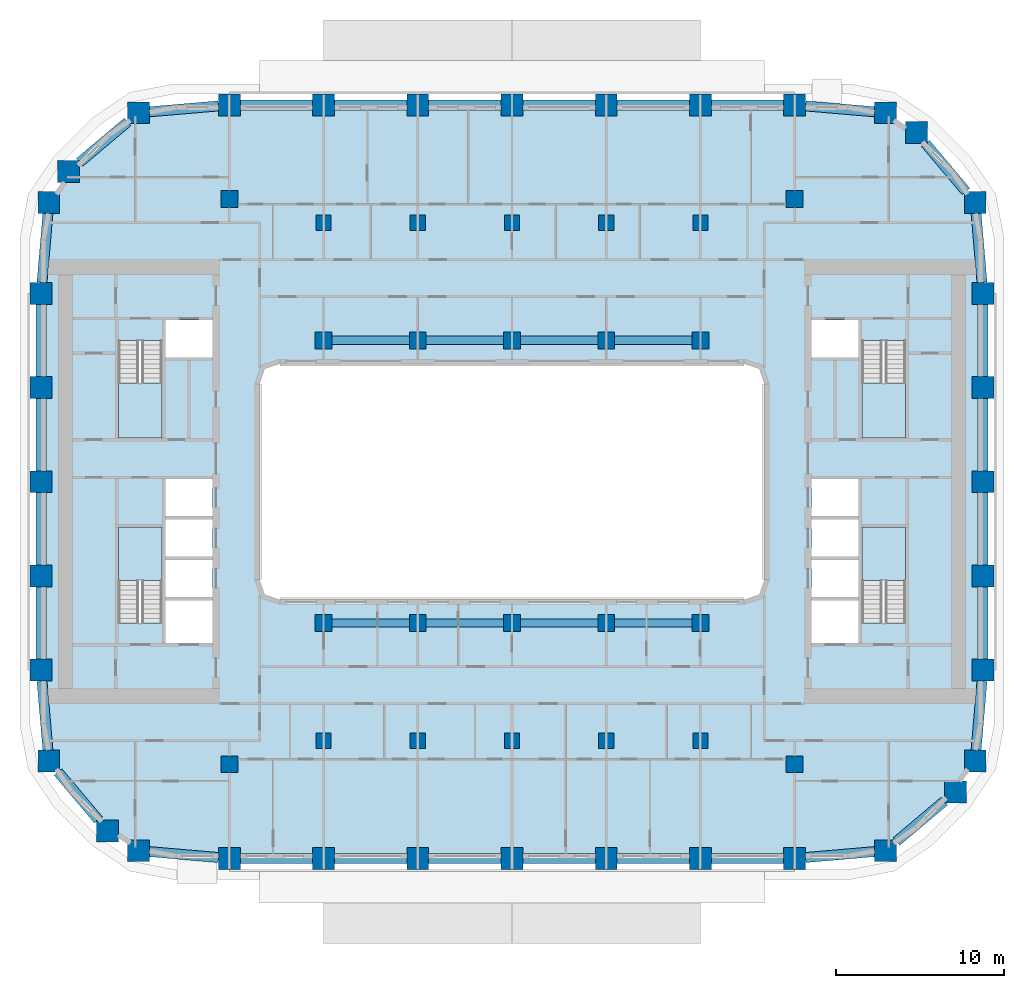
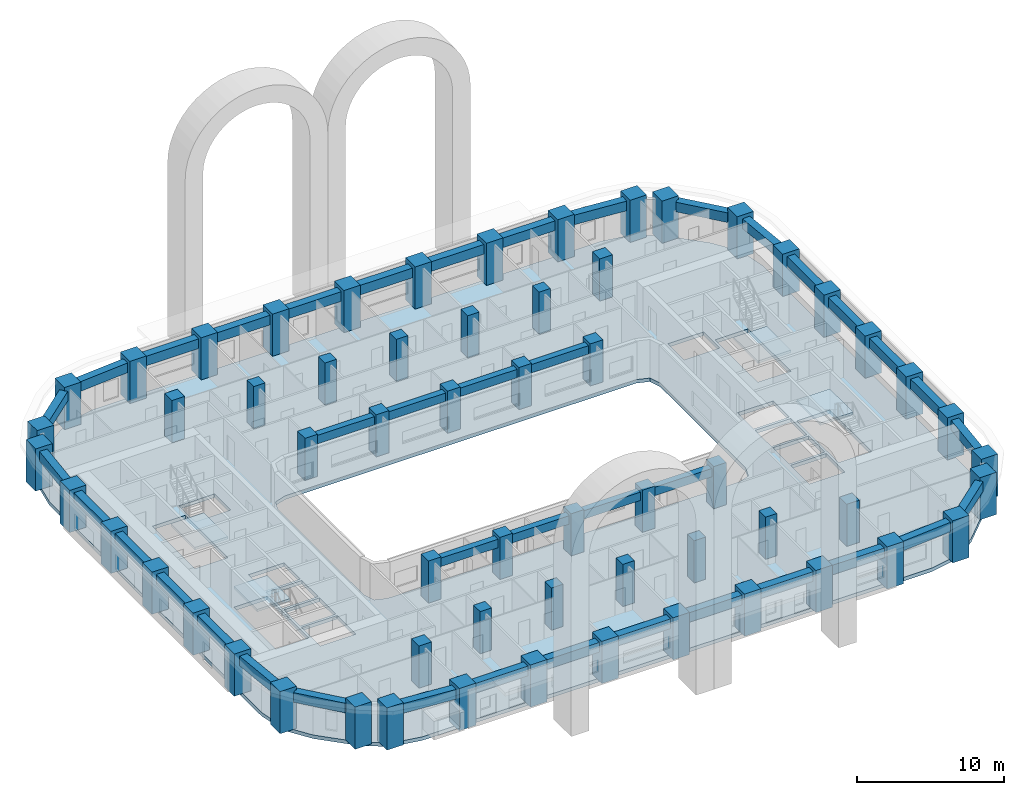
# One storey, part 1 of 19: 60 columns, 40 beams, 5 slabs, 4 elements without a shape of their own.
"""IFC4 building model written with IfcOpenShell, lengths in metres."""

from ifc_helpers import new_model, si_unit, direction, frame, origin, origin_2d, place, context, subcontext, project, spatial, polyline, rectangle, outline, extrude, material, layer, layer_set, material_profile, profile_set, type_object, element, aggregate, save


model = new_model("IFC4")

# Units and contexts
model_context = context("Model", 3, precision=1e-05, world=origin(), true_north=direction((0.0, 1.0)))
body_context = subcontext(model_context, "Body", "Model", "MODEL_VIEW")
ifc_project = project(units=[si_unit("LENGTHUNIT", "METRE"), si_unit("AREAUNIT", "SQUARE_METRE"), si_unit("VOLUMEUNIT", "CUBIC_METRE"), si_unit("PLANEANGLEUNIT", "RADIAN"), si_unit("MASSUNIT", "GRAM", prefix="KILO")], contexts=[model_context])

# Site, building, storey
site_placement = place(None, origin())
site = spatial("IfcSite", under=ifc_project, at=site_placement, CompositionType="ELEMENT")
building_placement = place(site_placement, origin())
building = spatial("IfcBuilding", under=site, at=building_placement, Name="Kiln Ring Residences", CompositionType="ELEMENT")
storey_placement = place(building_placement, frame((0.0, 0.0, 104.300048828125)))
storey = spatial("IfcBuildingStorey", under=building, at=storey_placement, Name="L26", CompositionType="ELEMENT", Elevation=104.300048828125)

# Columns
ifc_material_1 = material(Name="Concrete C80/95", Category="concrete")
ifc_material_profile_1 = material_profile(ifc_material_1, rectangle(XDim=0.89990234375, YDim=0.89990234375, at=origin_2d()), Name="RC900x900")
ifc_profile_set_1 = profile_set([ifc_material_profile_1], Name="Concrete C80/95")
column_type_1 = type_object("IfcColumnType", Name="Corridor column RC900x900 C80/95", PredefinedType="COLUMN", material=ifc_profile_set_1)
for number, where, z_axis, x_axis, name in (
    (1, (-11.199951171875, 15.39990234375, 0.0), (0.0, 0.0, 1.0), (1.0, 0.0, 0.0), "Corridor column L26 1"),
    (2, (-5.60009765625, 15.39990234375, 0.0), (0.0, 0.0, 1.0), (1.0, 0.0, 0.0), "Corridor column L26 2"),
    (3, (0.0, 15.39990234375, 0.0), (0.0, 0.0, 1.0), (1.0, 0.0, 0.0), "Corridor column L26 3"),
    (4, (5.60009765625, 15.39990234375, 0.0), (0.0, 0.0, 1.0), (1.0, 0.0, 0.0), "Corridor column L26 4"),
    (5, (11.199951171875, 15.39990234375, 0.0), (0.0, 0.0, 1.0), (1.0, 0.0, 0.0), "Corridor column L26 5"),
    (6, (-11.199951171875, -15.39990234375, 0.0), (0.0, 0.0, 1.0), (1.0, 0.0, 0.0), "Corridor column L26 6"),
    (7, (-5.60009765625, -15.39990234375, 0.0), (0.0, 0.0, 1.0), (1.0, 0.0, 0.0), "Corridor column L26 7"),
    (8, (0.0, -15.39990234375, 0.0), (0.0, 0.0, 1.0), (1.0, 0.0, 0.0), "Corridor column L26 8"),
    (9, (5.60009765625, -15.39990234375, 0.0), (0.0, 0.0, 1.0), (1.0, 0.0, 0.0), "Corridor column L26 9"),
    (10, (11.199951171875, -15.39990234375, 0.0), (0.0, 0.0, 1.0), (1.0, 0.0, 0.0), "Corridor column L26 10"),
):
    element("IfcColumn", number, at=place(storey_placement, frame(where, z_axis=z_axis, x_axis=x_axis)), inside=storey, type_object=column_type_1, Name=name, PredefinedType="COLUMN", context=body_context, shape_type="SweptSolid", body=[
        extrude(rectangle(XDim=0.89990234375, YDim=0.89990234375, at=origin_2d()), origin(), (0.0, 0.0, 1.0), 3.5),
    ])
ifc_material_2 = material(Name="Concrete C80/95", Category="concrete")
ifc_material_profile_2 = material_profile(ifc_material_2, rectangle(XDim=1.300048828125, YDim=1.300048828125, at=origin_2d()), Name="RC1300x1300")
ifc_profile_set_2 = profile_set([ifc_material_profile_2], Name="Concrete C80/95")
column_type_2 = type_object("IfcColumnType", Name="Perimeter column RC1300x1300 C80/95", PredefinedType="COLUMN", material=ifc_profile_set_2)
for number, where, z_axis, x_axis, name in (
    (11, (-22.208740234375, -21.93798828125, 0.0), (0.0, 0.0, 1.0), (1.0, 0.0, 0.0), "Perimeter column L26 1"),
    (12, (-16.800048828125, -22.39990234375, 0.0), (0.0, 0.0, 1.0), (1.0, 0.0, 0.0), "Perimeter column L26 2"),
    (13, (-11.199951171875, -22.39990234375, 0.0), (0.0, 0.0, 1.0), (1.0, 0.0, 0.0), "Perimeter column L26 3"),
    (14, (-5.60009765625, -22.39990234375, 0.0), (0.0, 0.0, 1.0), (1.0, 0.0, 0.0), "Perimeter column L26 4"),
    (15, (0.0, -22.39990234375, 0.0), (0.0, 0.0, 1.0), (1.0, 0.0, 0.0), "Perimeter column L26 5"),
    (16, (5.60009765625, -22.39990234375, 0.0), (0.0, 0.0, 1.0), (1.0, 0.0, 0.0), "Perimeter column L26 6"),
    (17, (11.199951171875, -22.39990234375, 0.0), (0.0, 0.0, 1.0), (1.0, 0.0, 0.0), "Perimeter column L26 7"),
    (18, (16.800048828125, -22.39990234375, 0.0), (0.0, 0.0, 1.0), (1.0, 0.0, 0.0), "Perimeter column L26 8"),
    (19, (22.208740234375, -21.93798828125, 0.0), (0.0, 0.0, 1.0), (1.0, 0.0, 0.0), "Perimeter column L26 9"),
    (20, (26.35986328125, -18.440185546875, 0.0), (0.0, 0.0, 1.0), (1.0, 0.0, 0.0), "Perimeter column L26 10"),
    (21, (27.5380859375, -16.608642578125, 0.0), (0.0, 0.0, 1.0), (1.0, 0.0, 0.0), "Perimeter column L26 11"),
    (22, (28.0, -11.199951171875, 0.0), (0.0, 0.0, 1.0), (1.0, 0.0, 0.0), "Perimeter column L26 12"),
    (23, (28.0, -5.60009765625, 0.0), (0.0, 0.0, 1.0), (1.0, 0.0, 0.0), "Perimeter column L26 13"),
    (24, (28.0, 0.0, 0.0), (0.0, 0.0, 1.0), (1.0, 0.0, 0.0), "Perimeter column L26 14"),
    (25, (28.0, 5.60009765625, 0.0), (0.0, 0.0, 1.0), (1.0, 0.0, 0.0), "Perimeter column L26 15"),
    (26, (28.0, 11.199951171875, 0.0), (0.0, 0.0, 1.0), (1.0, 0.0, 0.0), "Perimeter column L26 16"),
    (27, (27.5380859375, 16.608642578125, 0.0), (0.0, 0.0, 1.0), (1.0, 0.0, 0.0), "Perimeter column L26 17"),
    (28, (24.040283203125, 20.759765625, 0.0), (0.0, 0.0, 1.0), (1.0, 0.0, 0.0), "Perimeter column L26 18"),
    (29, (22.208740234375, 21.93798828125, 0.0), (0.0, 0.0, 1.0), (1.0, 0.0, 0.0), "Perimeter column L26 19"),
    (30, (16.800048828125, 22.39990234375, 0.0), (0.0, 0.0, 1.0), (1.0, 0.0, 0.0), "Perimeter column L26 20"),
    (31, (11.199951171875, 22.39990234375, 0.0), (0.0, 0.0, 1.0), (1.0, 0.0, 0.0), "Perimeter column L26 21"),
    (32, (5.60009765625, 22.39990234375, 0.0), (0.0, 0.0, 1.0), (1.0, 0.0, 0.0), "Perimeter column L26 22"),
    (33, (0.0, 22.39990234375, 0.0), (0.0, 0.0, 1.0), (1.0, 0.0, 0.0), "Perimeter column L26 23"),
    (34, (-5.60009765625, 22.39990234375, 0.0), (0.0, 0.0, 1.0), (1.0, 0.0, 0.0), "Perimeter column L26 24"),
    (35, (-11.199951171875, 22.39990234375, 0.0), (0.0, 0.0, 1.0), (1.0, 0.0, 0.0), "Perimeter column L26 25"),
    (36, (-16.800048828125, 22.39990234375, 0.0), (0.0, 0.0, 1.0), (1.0, 0.0, 0.0), "Perimeter column L26 26"),
    (37, (-22.208740234375, 21.93798828125, 0.0), (0.0, 0.0, 1.0), (1.0, 0.0, 0.0), "Perimeter column L26 27"),
    (38, (-26.35986328125, 18.440185546875, 0.0), (0.0, 0.0, 1.0), (1.0, 0.0, 0.0), "Perimeter column L26 28"),
    (39, (-27.5380859375, 16.608642578125, 0.0), (0.0, 0.0, 1.0), (1.0, 0.0, 0.0), "Perimeter column L26 29"),
    (40, (-28.0, 11.199951171875, 0.0), (0.0, 0.0, 1.0), (1.0, 0.0, 0.0), "Perimeter column L26 30"),
    (41, (-28.0, 5.60009765625, 0.0), (0.0, 0.0, 1.0), (1.0, 0.0, 0.0), "Perimeter column L26 31"),
    (42, (-28.0, 0.0, 0.0), (0.0, 0.0, 1.0), (1.0, 0.0, 0.0), "Perimeter column L26 32"),
    (43, (-28.0, -5.60009765625, 0.0), (0.0, 0.0, 1.0), (1.0, 0.0, 0.0), "Perimeter column L26 33"),
    (44, (-28.0, -11.199951171875, 0.0), (0.0, 0.0, 1.0), (1.0, 0.0, 0.0), "Perimeter column L26 34"),
    (45, (-27.5380859375, -16.608642578125, 0.0), (0.0, 0.0, 1.0), (1.0, 0.0, 0.0), "Perimeter column L26 35"),
    (46, (-24.040283203125, -20.759765625, 0.0), (0.0, 0.0, 1.0), (1.0, 0.0, 0.0), "Perimeter column L26 36"),
):
    element("IfcColumn", number, at=place(storey_placement, frame(where, z_axis=z_axis, x_axis=x_axis)), inside=storey, type_object=column_type_2, Name=name, PredefinedType="COLUMN", context=body_context, shape_type="SweptSolid", body=[
        extrude(rectangle(XDim=1.300048828125, YDim=1.300048828125, at=origin_2d()), origin(), (0.0, 0.0, 1.0), 3.5),
    ])
ifc_material_3 = material(Name="Concrete C80/95", Category="concrete")
ifc_material_profile_3 = material_profile(ifc_material_3, rectangle(XDim=1.0, YDim=1.0, at=origin_2d()), Name="RC1000x1000")
ifc_profile_set_3 = profile_set([ifc_material_profile_3], Name="Concrete C80/95")
column_type_3 = type_object("IfcColumnType", Name="Ring column RC1000x1000 C80/95", PredefinedType="COLUMN", material=ifc_profile_set_3)
for number, where, z_axis, x_axis, name in (
    (47, (-16.800048828125, -16.800048828125, 0.0), (0.0, 0.0, 1.0), (1.0, 0.0, 0.0), "Ring column L26 1"),
    (48, (-16.800048828125, 16.800048828125, 0.0), (0.0, 0.0, 1.0), (1.0, 0.0, 0.0), "Ring column L26 2"),
    (49, (-11.199951171875, -8.39990234375, 0.0), (0.0, 0.0, 1.0), (1.0, 0.0, 0.0), "Ring column L26 3"),
    (50, (-11.199951171875, 8.39990234375, 0.0), (0.0, 0.0, 1.0), (1.0, 0.0, 0.0), "Ring column L26 4"),
    (51, (-5.60009765625, -8.39990234375, 0.0), (0.0, 0.0, 1.0), (1.0, 0.0, 0.0), "Ring column L26 5"),
    (52, (-5.60009765625, 8.39990234375, 0.0), (0.0, 0.0, 1.0), (1.0, 0.0, 0.0), "Ring column L26 6"),
    (53, (0.0, -8.39990234375, 0.0), (0.0, 0.0, 1.0), (1.0, 0.0, 0.0), "Ring column L26 7"),
    (54, (0.0, 8.39990234375, 0.0), (0.0, 0.0, 1.0), (1.0, 0.0, 0.0), "Ring column L26 8"),
    (55, (5.60009765625, -8.39990234375, 0.0), (0.0, 0.0, 1.0), (1.0, 0.0, 0.0), "Ring column L26 9"),
    (56, (5.60009765625, 8.39990234375, 0.0), (0.0, 0.0, 1.0), (1.0, 0.0, 0.0), "Ring column L26 10"),
    (57, (11.199951171875, -8.39990234375, 0.0), (0.0, 0.0, 1.0), (1.0, 0.0, 0.0), "Ring column L26 11"),
    (58, (11.199951171875, 8.39990234375, 0.0), (0.0, 0.0, 1.0), (1.0, 0.0, 0.0), "Ring column L26 12"),
    (59, (16.800048828125, -16.800048828125, 0.0), (0.0, 0.0, 1.0), (1.0, 0.0, 0.0), "Ring column L26 13"),
    (60, (16.800048828125, 16.800048828125, 0.0), (0.0, 0.0, 1.0), (1.0, 0.0, 0.0), "Ring column L26 14"),
):
    element("IfcColumn", number, at=place(storey_placement, frame(where, z_axis=z_axis, x_axis=x_axis)), inside=storey, type_object=column_type_3, Name=name, PredefinedType="COLUMN", context=body_context, shape_type="SweptSolid", body=[
        extrude(rectangle(XDim=1.0, YDim=1.0, at=origin_2d()), origin(), (0.0, 0.0, 1.0), 3.5),
    ])

# Beams
ifc_material_4 = material(Name="Concrete C50/60", Category="concrete")
ifc_material_profile_4 = material_profile(ifc_material_4, rectangle(XDim=0.5, YDim=0.699951171875, at=origin_2d()), Name="RC500x700")
ifc_profile_set_4 = profile_set([ifc_material_profile_4], Name="Concrete C50/60")
beam_type_1 = type_object("IfcBeamType", Name="Ring beam RC500x700 C50/60", PredefinedType="BEAM", material=ifc_profile_set_4)
beam_1_placement = place(storey_placement, frame((-10.699951171875, -8.39990234375, 2.849853515625), z_axis=(1.0, 0.0, 0.0), x_axis=(0.0, 1.0, 0.0)))
element("IfcBeam", 61, at=beam_1_placement, inside=storey, type_object=beam_type_1, Name="Ring beam L26 1", PredefinedType="BEAM", context=body_context, shape_type="SweptSolid", body=[
    extrude(rectangle(XDim=0.5, YDim=0.699951171875, at=origin_2d()), origin(), (0.0, 0.0, 1.0), 4.599853515625),
])
for number, where, z_axis, x_axis, name in (
    (62, (-5.10009765625, -8.39990234375, 2.849853515625), (1.0, 0.0, 0.0), (0.0, 1.0, 0.0), "Ring beam L26 2"),
    (63, (0.5, -8.39990234375, 2.849853515625), (1.0, 0.0, 0.0), (0.0, 1.0, 0.0), "Ring beam L26 3"),
):
    element("IfcBeam", number, at=place(storey_placement, frame(where, z_axis=z_axis, x_axis=x_axis)), inside=storey, type_object=beam_type_1, Name=name, PredefinedType="BEAM", context=body_context, shape_type="SweptSolid", body=[
        extrude(rectangle(XDim=0.5, YDim=0.699951171875, at=origin_2d()), origin(), (0.0, 0.0, 1.0), 4.60009765625),
    ])
for number, where, z_axis, x_axis, name in (
    (64, (6.10009765625, -8.39990234375, 2.849853515625), (1.0, 0.0, 0.0), (0.0, 1.0, 0.0), "Ring beam L26 4"),
    (65, (-10.699951171875, 8.39990234375, 2.849853515625), (1.0, 0.0, 0.0), (0.0, 1.0, 0.0), "Ring beam L26 5"),
):
    element("IfcBeam", number, at=place(storey_placement, frame(where, z_axis=z_axis, x_axis=x_axis)), inside=storey, type_object=beam_type_1, Name=name, PredefinedType="BEAM", context=body_context, shape_type="SweptSolid", body=[
        extrude(rectangle(XDim=0.5, YDim=0.699951171875, at=origin_2d()), origin(), (0.0, 0.0, 1.0), 4.599853515625),
    ])
for number, where, z_axis, x_axis, name in (
    (66, (-5.10009765625, 8.39990234375, 2.849853515625), (1.0, 0.0, 0.0), (0.0, 1.0, 0.0), "Ring beam L26 6"),
    (67, (0.5, 8.39990234375, 2.849853515625), (1.0, 0.0, 0.0), (0.0, 1.0, 0.0), "Ring beam L26 7"),
):
    element("IfcBeam", number, at=place(storey_placement, frame(where, z_axis=z_axis, x_axis=x_axis)), inside=storey, type_object=beam_type_1, Name=name, PredefinedType="BEAM", context=body_context, shape_type="SweptSolid", body=[
        extrude(rectangle(XDim=0.5, YDim=0.699951171875, at=origin_2d()), origin(), (0.0, 0.0, 1.0), 4.60009765625),
    ])
beam_2_placement = place(storey_placement, frame((6.10009765625, 8.39990234375, 2.849853515625), z_axis=(1.0, 0.0, 0.0), x_axis=(0.0, 1.0, 0.0)))
element("IfcBeam", 68, at=beam_2_placement, inside=storey, type_object=beam_type_1, Name="Ring beam L26 8", PredefinedType="BEAM", context=body_context, shape_type="SweptSolid", body=[
    extrude(rectangle(XDim=0.5, YDim=0.699951171875, at=origin_2d()), origin(), (0.0, 0.0, 1.0), 4.599853515625),
])
ifc_material_5 = material(Name="Concrete C50/60", Category="concrete")
ifc_material_profile_5 = material_profile(ifc_material_5, rectangle(XDim=0.60009765625, YDim=0.800048828125, at=origin_2d()), Name="RC600x800")
ifc_profile_set_5 = profile_set([ifc_material_profile_5], Name="Concrete C50/60")
beam_type_2 = type_object("IfcBeamType", Name="Spandrel beam RC600x800 C50/60", PredefinedType="SPANDREL", material=ifc_profile_set_5)
beam_3_placement = place(storey_placement, frame((-21.55859375, -21.99365234375, 2.800048828125), z_axis=(0.99637423264, -0.085078719609, 0.0), x_axis=(0.085078719609, 0.99637423264, 0.0)))
element("IfcBeam", 69, at=beam_3_placement, inside=storey, type_object=beam_type_2, Name="Spandrel beam L26 1", PredefinedType="SPANDREL", context=body_context, shape_type="SweptSolid", body=[
    extrude(rectangle(XDim=0.60009765625, YDim=0.800048828125, at=origin_2d()), origin(), (0.0, 0.0, 1.0), 4.12353515625),
])
beam_4_placement = place(storey_placement, frame((-16.14990234375, -22.39990234375, 2.800048828125), z_axis=(1.0, 0.0, 0.0), x_axis=(0.0, 1.0, 0.0)))
element("IfcBeam", 70, at=beam_4_placement, inside=storey, type_object=beam_type_2, Name="Spandrel beam L26 2", PredefinedType="SPANDREL", context=body_context, shape_type="SweptSolid", body=[
    extrude(rectangle(XDim=0.60009765625, YDim=0.800048828125, at=origin_2d()), origin(), (0.0, 0.0, 1.0), 4.2998046875),
])
for number, where, z_axis, x_axis, name in (
    (71, (-10.550048828125, -22.39990234375, 2.800048828125), (1.0, 0.0, 0.0), (0.0, 1.0, 0.0), "Spandrel beam L26 3"),
    (72, (-4.949951171875, -22.39990234375, 2.800048828125), (1.0, 0.0, 0.0), (0.0, 1.0, 0.0), "Spandrel beam L26 4"),
    (73, (0.64990234375, -22.39990234375, 2.800048828125), (1.0, 0.0, 0.0), (0.0, 1.0, 0.0), "Spandrel beam L26 5"),
    (74, (6.25, -22.39990234375, 2.800048828125), (1.0, 0.0, 0.0), (0.0, 1.0, 0.0), "Spandrel beam L26 6"),
):
    element("IfcBeam", number, at=place(storey_placement, frame(where, z_axis=z_axis, x_axis=x_axis)), inside=storey, type_object=beam_type_2, Name=name, PredefinedType="SPANDREL", context=body_context, shape_type="SweptSolid", body=[
        extrude(rectangle(XDim=0.60009765625, YDim=0.800048828125, at=origin_2d()), origin(), (0.0, 0.0, 1.0), 4.300048828125),
    ])
beam_5_placement = place(storey_placement, frame((11.85009765625, -22.39990234375, 2.800048828125), z_axis=(1.0, 0.0, 0.0), x_axis=(0.0, 1.0, 0.0)))
element("IfcBeam", 75, at=beam_5_placement, inside=storey, type_object=beam_type_2, Name="Spandrel beam L26 7", PredefinedType="SPANDREL", context=body_context, shape_type="SweptSolid", body=[
    extrude(rectangle(XDim=0.60009765625, YDim=0.800048828125, at=origin_2d()), origin(), (0.0, 0.0, 1.0), 4.2998046875),
])
beam_6_placement = place(storey_placement, frame((17.449951171875, -22.344482421875, 2.800048828125), z_axis=(0.99637423264, 0.085078719609, 0.0), x_axis=(-0.085078719609, 0.99637423264, 0.0)))
element("IfcBeam", 76, at=beam_6_placement, inside=storey, type_object=beam_type_2, Name="Spandrel beam L26 8", PredefinedType="SPANDREL", context=body_context, shape_type="SweptSolid", body=[
    extrude(rectangle(XDim=0.60009765625, YDim=0.800048828125, at=origin_2d()), origin(), (0.0, 0.0, 1.0), 4.12353515625),
])
beam_7_placement = place(storey_placement, frame((22.858642578125, -21.390380859375, 2.800048828125), z_axis=(0.764720974908, 0.644361568171, 0.0), x_axis=(-0.644361568171, 0.764720974908, 0.0)))
element("IfcBeam", 77, at=beam_7_placement, inside=storey, type_object=beam_type_2, Name="Spandrel beam L26 9", PredefinedType="SPANDREL", context=body_context, shape_type="SweptSolid", body=[
    extrude(rectangle(XDim=0.60009765625, YDim=0.800048828125, at=origin_2d()), origin(), (0.0, 0.0, 1.0), 3.728271484375),
])
beam_8_placement = place(storey_placement, frame((27.593505859375, -15.958740234375, 2.800048828125), z_axis=(0.0851374964, 0.996369212043, 0.0), x_axis=(-0.996369212043, 0.0851374964, 0.0)))
element("IfcBeam", 78, at=beam_8_placement, inside=storey, type_object=beam_type_2, Name="Spandrel beam L26 10", PredefinedType="SPANDREL", context=body_context, shape_type="SweptSolid", body=[
    extrude(rectangle(XDim=0.60009765625, YDim=0.800048828125, at=origin_2d()), origin(), (0.0, 0.0, 1.0), 4.12353515625),
])
for number, where, z_axis, x_axis, name in (
    (79, (28.0, -10.550048828125, 2.800048828125), (0.0, 1.0, 0.0), (-1.0, 0.0, 0.0), "Spandrel beam L26 11"),
    (80, (28.0, -4.949951171875, 2.800048828125), (0.0, 1.0, 0.0), (-1.0, 0.0, 0.0), "Spandrel beam L26 12"),
    (81, (28.0, 0.64990234375, 2.800048828125), (0.0, 1.0, 0.0), (-1.0, 0.0, 0.0), "Spandrel beam L26 13"),
    (82, (28.0, 6.25, 2.800048828125), (0.0, 1.0, 0.0), (-1.0, 0.0, 0.0), "Spandrel beam L26 14"),
):
    element("IfcBeam", number, at=place(storey_placement, frame(where, z_axis=z_axis, x_axis=x_axis)), inside=storey, type_object=beam_type_2, Name=name, PredefinedType="SPANDREL", context=body_context, shape_type="SweptSolid", body=[
        extrude(rectangle(XDim=0.60009765625, YDim=0.800048828125, at=origin_2d()), origin(), (0.0, 0.0, 1.0), 4.300048828125),
    ])
beam_9_placement = place(storey_placement, frame((27.944580078125, 11.85009765625, 2.800048828125), z_axis=(-0.0851374964, 0.996369212043, 0.0), x_axis=(-0.996369212043, -0.0851374964, 0.0)))
element("IfcBeam", 83, at=beam_9_placement, inside=storey, type_object=beam_type_2, Name="Spandrel beam L26 15", PredefinedType="SPANDREL", context=body_context, shape_type="SweptSolid", body=[
    extrude(rectangle(XDim=0.60009765625, YDim=0.800048828125, at=origin_2d()), origin(), (0.0, 0.0, 1.0), 4.12353515625),
])
beam_10_placement = place(storey_placement, frame((26.990478515625, 17.2587890625, 2.800048828125), z_axis=(-0.644399860611, 0.764688707674, 0.0), x_axis=(-0.764688707674, -0.644399860611, 0.0)))
element("IfcBeam", 84, at=beam_10_placement, inside=storey, type_object=beam_type_2, Name="Spandrel beam L26 16", PredefinedType="SPANDREL", context=body_context, shape_type="SweptSolid", body=[
    extrude(rectangle(XDim=0.60009765625, YDim=0.800048828125, at=origin_2d()), origin(), (0.0, 0.0, 1.0), 3.728515625),
])
beam_11_placement = place(storey_placement, frame((21.55859375, 21.99365234375, 2.800048828125), z_axis=(-0.99637423264, 0.085078719609, 0.0), x_axis=(-0.085078719609, -0.99637423264, 0.0)))
element("IfcBeam", 85, at=beam_11_placement, inside=storey, type_object=beam_type_2, Name="Spandrel beam L26 17", PredefinedType="SPANDREL", context=body_context, shape_type="SweptSolid", body=[
    extrude(rectangle(XDim=0.60009765625, YDim=0.800048828125, at=origin_2d()), origin(), (0.0, 0.0, 1.0), 4.12353515625),
])
beam_12_placement = place(storey_placement, frame((16.14990234375, 22.39990234375, 2.800048828125), z_axis=(-1.0, 0.0, 0.0), x_axis=(0.0, -1.0, 0.0)))
element("IfcBeam", 86, at=beam_12_placement, inside=storey, type_object=beam_type_2, Name="Spandrel beam L26 18", PredefinedType="SPANDREL", context=body_context, shape_type="SweptSolid", body=[
    extrude(rectangle(XDim=0.60009765625, YDim=0.800048828125, at=origin_2d()), origin(), (0.0, 0.0, 1.0), 4.2998046875),
])
for number, where, z_axis, x_axis, name in (
    (87, (10.550048828125, 22.39990234375, 2.800048828125), (-1.0, 0.0, 0.0), (0.0, -1.0, 0.0), "Spandrel beam L26 19"),
    (88, (4.949951171875, 22.39990234375, 2.800048828125), (-1.0, 0.0, 0.0), (0.0, -1.0, 0.0), "Spandrel beam L26 20"),
    (89, (-0.64990234375, 22.39990234375, 2.800048828125), (-1.0, 0.0, 0.0), (0.0, -1.0, 0.0), "Spandrel beam L26 21"),
    (90, (-6.25, 22.39990234375, 2.800048828125), (-1.0, 0.0, 0.0), (0.0, -1.0, 0.0), "Spandrel beam L26 22"),
):
    element("IfcBeam", number, at=place(storey_placement, frame(where, z_axis=z_axis, x_axis=x_axis)), inside=storey, type_object=beam_type_2, Name=name, PredefinedType="SPANDREL", context=body_context, shape_type="SweptSolid", body=[
        extrude(rectangle(XDim=0.60009765625, YDim=0.800048828125, at=origin_2d()), origin(), (0.0, 0.0, 1.0), 4.300048828125),
    ])
beam_13_placement = place(storey_placement, frame((-11.85009765625, 22.39990234375, 2.800048828125), z_axis=(-1.0, 0.0, 0.0), x_axis=(0.0, -1.0, 0.0)))
element("IfcBeam", 91, at=beam_13_placement, inside=storey, type_object=beam_type_2, Name="Spandrel beam L26 23", PredefinedType="SPANDREL", context=body_context, shape_type="SweptSolid", body=[
    extrude(rectangle(XDim=0.60009765625, YDim=0.800048828125, at=origin_2d()), origin(), (0.0, 0.0, 1.0), 4.2998046875),
])
beam_14_placement = place(storey_placement, frame((-17.449951171875, 22.344482421875, 2.800048828125), z_axis=(-0.99637423264, -0.085078719609, 0.0), x_axis=(0.085078719609, -0.99637423264, 0.0)))
element("IfcBeam", 92, at=beam_14_placement, inside=storey, type_object=beam_type_2, Name="Spandrel beam L26 24", PredefinedType="SPANDREL", context=body_context, shape_type="SweptSolid", body=[
    extrude(rectangle(XDim=0.60009765625, YDim=0.800048828125, at=origin_2d()), origin(), (0.0, 0.0, 1.0), 4.12353515625),
])
beam_15_placement = place(storey_placement, frame((-22.858642578125, 21.390380859375, 2.800048828125), z_axis=(-0.764720974908, -0.644361568171, 0.0), x_axis=(0.644361568171, -0.764720974908, 0.0)))
element("IfcBeam", 93, at=beam_15_placement, inside=storey, type_object=beam_type_2, Name="Spandrel beam L26 25", PredefinedType="SPANDREL", context=body_context, shape_type="SweptSolid", body=[
    extrude(rectangle(XDim=0.60009765625, YDim=0.800048828125, at=origin_2d()), origin(), (0.0, 0.0, 1.0), 3.728271484375),
])
beam_16_placement = place(storey_placement, frame((-27.593505859375, 15.958740234375, 2.800048828125), z_axis=(-0.0851374964, -0.996369212043, 0.0), x_axis=(0.996369212043, -0.0851374964, 0.0)))
element("IfcBeam", 94, at=beam_16_placement, inside=storey, type_object=beam_type_2, Name="Spandrel beam L26 26", PredefinedType="SPANDREL", context=body_context, shape_type="SweptSolid", body=[
    extrude(rectangle(XDim=0.60009765625, YDim=0.800048828125, at=origin_2d()), origin(), (0.0, 0.0, 1.0), 4.12353515625),
])
for number, where, z_axis, x_axis, name in (
    (95, (-28.0, 10.550048828125, 2.800048828125), (0.0, -1.0, 0.0), (1.0, 0.0, 0.0), "Spandrel beam L26 27"),
    (96, (-28.0, 4.949951171875, 2.800048828125), (0.0, -1.0, 0.0), (1.0, 0.0, 0.0), "Spandrel beam L26 28"),
    (97, (-28.0, -0.64990234375, 2.800048828125), (0.0, -1.0, 0.0), (1.0, 0.0, 0.0), "Spandrel beam L26 29"),
    (98, (-28.0, -6.25, 2.800048828125), (0.0, -1.0, 0.0), (1.0, 0.0, 0.0), "Spandrel beam L26 30"),
):
    element("IfcBeam", number, at=place(storey_placement, frame(where, z_axis=z_axis, x_axis=x_axis)), inside=storey, type_object=beam_type_2, Name=name, PredefinedType="SPANDREL", context=body_context, shape_type="SweptSolid", body=[
        extrude(rectangle(XDim=0.60009765625, YDim=0.800048828125, at=origin_2d()), origin(), (0.0, 0.0, 1.0), 4.300048828125),
    ])
beam_17_placement = place(storey_placement, frame((-27.944580078125, -11.85009765625, 2.800048828125), z_axis=(0.0851374964, -0.996369212043, 0.0), x_axis=(0.996369212043, 0.0851374964, 0.0)))
element("IfcBeam", 99, at=beam_17_placement, inside=storey, type_object=beam_type_2, Name="Spandrel beam L26 31", PredefinedType="SPANDREL", context=body_context, shape_type="SweptSolid", body=[
    extrude(rectangle(XDim=0.60009765625, YDim=0.800048828125, at=origin_2d()), origin(), (0.0, 0.0, 1.0), 4.12353515625),
])
beam_18_placement = place(storey_placement, frame((-26.990478515625, -17.2587890625, 2.800048828125), z_axis=(0.644399860611, -0.764688707674, 0.0), x_axis=(0.764688707674, 0.644399860611, 0.0)))
element("IfcBeam", 100, at=beam_18_placement, inside=storey, type_object=beam_type_2, Name="Spandrel beam L26 32", PredefinedType="SPANDREL", context=body_context, shape_type="SweptSolid", body=[
    extrude(rectangle(XDim=0.60009765625, YDim=0.800048828125, at=origin_2d()), origin(), (0.0, 0.0, 1.0), 3.728515625),
])

# Stair, slab
ifc_material_6 = material(Name="Concrete C40/50", Category="concrete")
stair_type = type_object("IfcStairType", Name="CORE-STAIR", PredefinedType="HALF_TURN_STAIR", material=ifc_material_6)
placement_1 = place(storey_placement, origin())
stair_1 = element("IfcStair", 101, at=placement_1, inside=storey, type_object=stair_type, Name="L26 stair W-STN", PredefinedType="HALF_TURN_STAIR")
ifc_material_7 = material(Name="Concrete C40/50", Category="concrete")
ifc_layer_1 = layer(ifc_material_7, 0.199951171875)
ifc_layer_set_1 = layer_set([ifc_layer_1], Name="CORE-STAIR-LANDING")
slab_type_1 = type_object("IfcSlabType", Name="CORE-STAIR-LANDING", PredefinedType="LANDING", material=ifc_layer_set_1)
placement_2 = place(storey_placement, frame((0.0, 0.0, 1.550048828125)))
slab_1 = element("IfcSlab", 102, at=placement_2, type_object=slab_type_1, Name="W-STN landing 1", PredefinedType="LANDING", context=body_context, shape_type="SweptSolid", body=[
    extrude(outline(polyline([(-23.39990234375, 5.8798828125), (-23.39990234375, 2.60009765625), (-20.800048828125, 2.60009765625), (-20.800048828125, 5.8798828125), (-23.39990234375, 5.8798828125)])), origin(), (0.0, 0.0, 1.0), 0.199951171875),
])
aggregate(stair_1, [slab_1])

stair_2 = element("IfcStair", 103, at=placement_1, inside=storey, type_object=stair_type, Name="L26 stair W-STS", PredefinedType="HALF_TURN_STAIR")
slab_2 = element("IfcSlab", 104, at=placement_2, type_object=slab_type_1, Name="W-STS landing 1", PredefinedType="LANDING", context=body_context, shape_type="SweptSolid", body=[
    extrude(outline(polyline([(-20.800048828125, -5.8798828125), (-20.800048828125, -2.699951171875), (-23.39990234375, -2.699951171875), (-23.39990234375, -5.8798828125), (-20.800048828125, -5.8798828125)])), origin(), (0.0, 0.0, 1.0), 0.199951171875),
])
aggregate(stair_2, [slab_2])

stair_3 = element("IfcStair", 105, at=placement_1, inside=storey, type_object=stair_type, Name="L26 stair E-STN", PredefinedType="HALF_TURN_STAIR")
slab_3 = element("IfcSlab", 106, at=placement_2, type_object=slab_type_1, Name="E-STN landing 1", PredefinedType="LANDING", context=body_context, shape_type="SweptSolid", body=[
    extrude(outline(polyline([(20.800048828125, 5.8798828125), (20.800048828125, 2.60009765625), (23.39990234375, 2.60009765625), (23.39990234375, 5.8798828125), (20.800048828125, 5.8798828125)])), origin(), (0.0, 0.0, 1.0), 0.199951171875),
])
aggregate(stair_3, [slab_3])

stair_4 = element("IfcStair", 107, at=placement_1, inside=storey, type_object=stair_type, Name="L26 stair E-STS", PredefinedType="HALF_TURN_STAIR")
slab_4 = element("IfcSlab", 108, at=placement_2, type_object=slab_type_1, Name="E-STS landing 1", PredefinedType="LANDING", context=body_context, shape_type="SweptSolid", body=[
    extrude(outline(polyline([(23.39990234375, -5.8798828125), (23.39990234375, -2.699951171875), (20.800048828125, -2.699951171875), (20.800048828125, -5.8798828125), (23.39990234375, -5.8798828125)])), origin(), (0.0, 0.0, 1.0), 0.199951171875),
])
aggregate(stair_4, [slab_4])

# Slab
ifc_material_8 = material(Name="Concrete C40/50", Category="concrete")
ifc_layer_2 = layer(ifc_material_8, 0.300048828125)
ifc_layer_set_2 = layer_set([ifc_layer_2], Name="Floor slab 300")
slab_type_2 = type_object("IfcSlabType", Name="Floor slab 300", PredefinedType="FLOOR", material=ifc_layer_set_2)
slab_5_placement = place(storey_placement, frame((0.0, 0.0, -0.300048828125)))
element("IfcSlab", 109, at=slab_5_placement, inside=storey, type_object=slab_type_2, Name="Floor slab L26 1", PredefinedType="FLOOR", context=body_context, shape_type="SweptSolid", body=[
    extrude(outline(polyline([(-26.302978515625, -18.4970703125), (-24.09716796875, -20.702880859375), (-22.224365234375, -21.975830078125), (-20.0, -22.39990234375), (20.0, -22.39990234375), (22.224365234375, -21.975830078125), (24.09716796875, -20.702880859375), (26.302978515625, -18.4970703125), (27.57568359375, -16.624267578125), (28.0, -14.39990234375), (28.0, 14.39990234375), (27.57568359375, 16.624267578125), (26.302978515625, 18.4970703125), (24.09716796875, 20.702880859375), (22.224365234375, 21.975830078125), (20.0, 22.39990234375), (-20.0, 22.39990234375), (-22.224365234375, 21.975830078125), (-24.09716796875, 20.702880859375), (-26.302978515625, 18.4970703125), (-27.57568359375, 16.624267578125), (-28.0, 14.39990234375), (-28.0, -14.39990234375), (-27.57568359375, -16.624267578125), (-26.302978515625, -18.4970703125)]), holes=[polyline([(-14.699951171875, -6.699951171875), (-15.0, -5.800048828125), (-15.0, 5.800048828125), (-14.699951171875, 6.699951171875), (-13.800048828125, 7.0), (13.800048828125, 7.0), (14.699951171875, 6.699951171875), (15.0, 5.800048828125), (15.0, -5.800048828125), (14.699951171875, -6.699951171875), (13.800048828125, -7.0), (-13.800048828125, -7.0), (-14.699951171875, -6.699951171875)]), polyline([(20.800048828125, -8.39794921875), (20.800048828125, -2.699951171875), (23.39990234375, -2.699951171875), (23.39990234375, -8.39794921875), (20.800048828125, -8.39794921875)]), polyline([(20.800048828125, 2.60009765625), (20.800048828125, 8.39794921875), (23.39990234375, 8.39794921875), (23.39990234375, 2.60009765625), (20.800048828125, 2.60009765625)]), polyline([(17.800048828125, -6.85009765625), (17.800048828125, -4.64990234375), (20.60009765625, -4.64990234375), (20.60009765625, -6.85009765625), (17.800048828125, -6.85009765625)]), polyline([(17.800048828125, -4.449951171875), (17.800048828125, -2.25), (20.60009765625, -2.25), (20.60009765625, -4.449951171875), (17.800048828125, -4.449951171875)]), polyline([(17.800048828125, -2.050048828125), (17.800048828125, 0.14990234375), (20.60009765625, 0.14990234375), (20.60009765625, -2.050048828125), (17.800048828125, -2.050048828125)]), polyline([(17.800048828125, 7.39990234375), (17.800048828125, 9.60009765625), (20.60009765625, 9.60009765625), (20.60009765625, 7.39990234375), (17.800048828125, 7.39990234375)]), polyline([(20.60009765625, -9.60009765625), (17.800048828125, -9.60009765625), (17.800048828125, -7.050048828125), (20.60009765625, -7.050048828125), (20.60009765625, -9.60009765625)]), polyline([(-17.800048828125, -7.050048828125), (-17.800048828125, -9.60009765625), (-20.60009765625, -9.60009765625), (-20.60009765625, -7.050048828125), (-17.800048828125, -7.050048828125)]), polyline([(-17.800048828125, -6.85009765625), (-20.60009765625, -6.85009765625), (-20.60009765625, -4.64990234375), (-17.800048828125, -4.64990234375), (-17.800048828125, -6.85009765625)]), polyline([(-17.800048828125, -4.449951171875), (-20.60009765625, -4.449951171875), (-20.60009765625, -2.25), (-17.800048828125, -2.25), (-17.800048828125, -4.449951171875)]), polyline([(-17.800048828125, -2.050048828125), (-20.60009765625, -2.050048828125), (-20.60009765625, 0.14990234375), (-17.800048828125, 0.14990234375), (-17.800048828125, -2.050048828125)]), polyline([(-17.800048828125, 7.39990234375), (-20.60009765625, 7.39990234375), (-20.60009765625, 9.60009765625), (-17.800048828125, 9.60009765625), (-17.800048828125, 7.39990234375)]), polyline([(-20.800048828125, -8.39794921875), (-23.39990234375, -8.39794921875), (-23.39990234375, -2.699951171875), (-20.800048828125, -2.699951171875), (-20.800048828125, -8.39794921875)]), polyline([(-20.800048828125, 2.60009765625), (-23.39990234375, 2.60009765625), (-23.39990234375, 8.39794921875), (-20.800048828125, 8.39794921875), (-20.800048828125, 2.60009765625)])]), origin(), (0.0, 0.0, 1.0), 0.300048828125),
])

save(model, "model.ifc")
